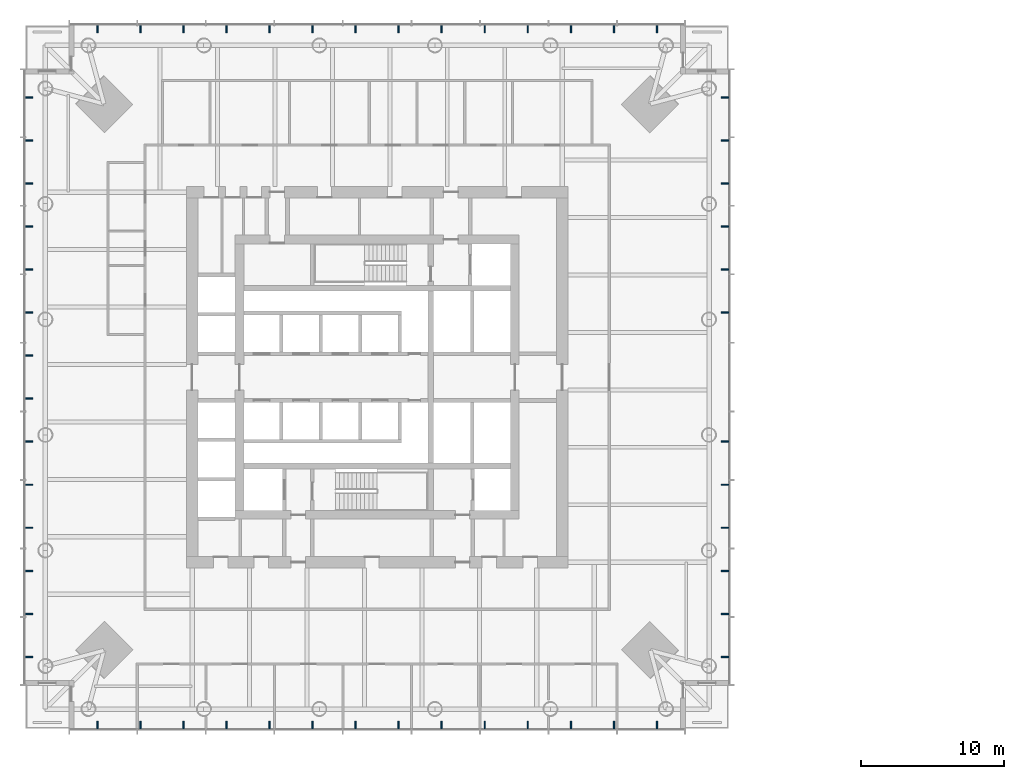
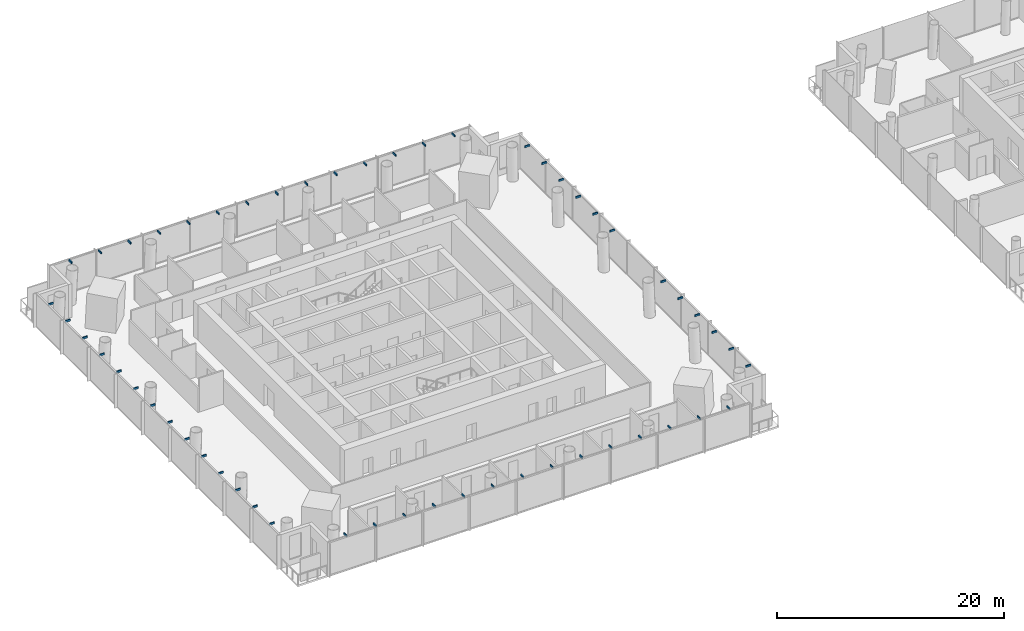
# One storey, part 19 of 21: 54 discrete accessories.
"""IFC4 building model written with IfcOpenShell, lengths in metres."""

from ifc_helpers import new_model, si_unit, direction, frame, origin, origin_2d, place, context, subcontext, project, spatial, rectangle, extrude, material, type_object, element, save


model = new_model("IFC4")

# Units and contexts
model_context = context("Model", 3, precision=1e-05, world=origin(), true_north=direction((0.0, 1.0)))
body_context = subcontext(model_context, "Body", "Model", "MODEL_VIEW")
ifc_project = project(units=[si_unit("LENGTHUNIT", "METRE"), si_unit("AREAUNIT", "SQUARE_METRE"), si_unit("VOLUMEUNIT", "CUBIC_METRE"), si_unit("PLANEANGLEUNIT", "RADIAN"), si_unit("MASSUNIT", "GRAM", prefix="KILO")], contexts=[model_context])

# Site, building, storey
site_placement = place(None, origin())
site = spatial("IfcSite", under=ifc_project, at=site_placement, CompositionType="ELEMENT")
building_placement = place(site_placement, origin())
building = spatial("IfcBuilding", under=site, at=building_placement, Name="Ostroluk Exchange", CompositionType="ELEMENT")
storey_placement = place(building_placement, frame((0.0, 0.0, 47.60009765625)))
storey = spatial("IfcBuildingStorey", under=building, at=storey_placement, Name="L11", CompositionType="ELEMENT", Elevation=47.60009765625)

# Discrete accessories
ifc_material = material(Name="Steel S355", Category="steel")
discrete_accessory_type = type_object("IfcDiscreteAccessoryType", Name="Maintenance roof bracket", PredefinedType="BRACKET", material=ifc_material)
for number, where, z_axis, x_axis, name in (
    (1, (25.5, 21.75, 3.44970703125), (0.0, 0.0, 1.0), (1.0, 0.0, 0.0), "Maintenance roof bracket L12 south 1"),
    (2, (28.5, 21.75, 3.44970703125), (0.0, 0.0, 1.0), (1.0, 0.0, 0.0), "Maintenance roof bracket L12 south 2"),
    (3, (31.5, 21.75, 3.44970703125), (0.0, 0.0, 1.0), (1.0, 0.0, 0.0), "Maintenance roof bracket L12 south 3"),
    (4, (34.5, 21.75, 3.44970703125), (0.0, 0.0, 1.0), (1.0, 0.0, 0.0), "Maintenance roof bracket L12 south 4"),
    (5, (37.5, 21.75, 3.44970703125), (0.0, 0.0, 1.0), (1.0, 0.0, 0.0), "Maintenance roof bracket L12 south 5"),
    (6, (40.5, 21.75, 3.44970703125), (0.0, 0.0, 1.0), (1.0, 0.0, 0.0), "Maintenance roof bracket L12 south 6"),
    (7, (43.5, 21.75, 3.44970703125), (0.0, 0.0, 1.0), (1.0, 0.0, 0.0), "Maintenance roof bracket L12 south 7"),
    (8, (46.5, 21.75, 3.44970703125), (0.0, 0.0, 1.0), (1.0, 0.0, 0.0), "Maintenance roof bracket L12 south 8"),
    (9, (49.5, 21.75, 3.44970703125), (0.0, 0.0, 1.0), (1.0, 0.0, 0.0), "Maintenance roof bracket L12 south 9"),
    (10, (52.5, 21.75, 3.44970703125), (0.0, 0.0, 1.0), (1.0, 0.0, 0.0), "Maintenance roof bracket L12 south 10"),
    (11, (55.5, 21.75, 3.44970703125), (0.0, 0.0, 1.0), (1.0, 0.0, 0.0), "Maintenance roof bracket L12 south 11"),
    (12, (58.5, 21.75, 3.44970703125), (0.0, 0.0, 1.0), (1.0, 0.0, 0.0), "Maintenance roof bracket L12 south 12"),
    (13, (61.5, 21.75, 3.44970703125), (0.0, 0.0, 1.0), (1.0, 0.0, 0.0), "Maintenance roof bracket L12 south 13"),
    (14, (64.5, 21.75, 3.44970703125), (0.0, 0.0, 1.0), (1.0, 0.0, 0.0), "Maintenance roof bracket L12 south 14"),
):
    element("IfcDiscreteAccessory", number, at=place(storey_placement, frame(where, z_axis=z_axis, x_axis=x_axis)), inside=storey, type_object=discrete_accessory_type, Name=name, PredefinedType="BRACKET", context=body_context, shape_type="SweptSolid", body=[
        extrude(rectangle(XDim=0.10009765625, YDim=0.5, at=origin_2d()), origin(), (0.0, 0.0, 1.0), 0.199951171875),
    ])
for number, where, z_axis, x_axis, name in (
    (15, (69.25, 26.5, 3.44970703125), (0.0, 0.0, 1.0), (1.0, 0.0, 0.0), "Maintenance roof bracket L12 east 1"),
    (16, (69.25, 29.5, 3.44970703125), (0.0, 0.0, 1.0), (1.0, 0.0, 0.0), "Maintenance roof bracket L12 east 2"),
    (17, (69.25, 32.5, 3.44970703125), (0.0, 0.0, 1.0), (1.0, 0.0, 0.0), "Maintenance roof bracket L12 east 3"),
    (18, (69.25, 35.5, 3.44970703125), (0.0, 0.0, 1.0), (1.0, 0.0, 0.0), "Maintenance roof bracket L12 east 4"),
    (19, (69.25, 38.5, 3.44970703125), (0.0, 0.0, 1.0), (1.0, 0.0, 0.0), "Maintenance roof bracket L12 east 5"),
    (20, (69.25, 41.5, 3.44970703125), (0.0, 0.0, 1.0), (1.0, 0.0, 0.0), "Maintenance roof bracket L12 east 6"),
    (21, (69.25, 50.5, 3.44970703125), (0.0, 0.0, 1.0), (1.0, 0.0, 0.0), "Maintenance roof bracket L12 east 9"),
    (22, (69.25, 53.5, 3.44970703125), (0.0, 0.0, 1.0), (1.0, 0.0, 0.0), "Maintenance roof bracket L12 east 10"),
    (23, (69.25, 56.5, 3.44970703125), (0.0, 0.0, 1.0), (1.0, 0.0, 0.0), "Maintenance roof bracket L12 east 11"),
    (24, (69.25, 59.5, 3.44970703125), (0.0, 0.0, 1.0), (1.0, 0.0, 0.0), "Maintenance roof bracket L12 east 12"),
    (25, (69.25, 62.5, 3.44970703125), (0.0, 0.0, 1.0), (1.0, 0.0, 0.0), "Maintenance roof bracket L12 east 13"),
    (26, (69.25, 65.5, 3.44970703125), (0.0, 0.0, 1.0), (1.0, 0.0, 0.0), "Maintenance roof bracket L12 east 14"),
):
    element("IfcDiscreteAccessory", number, at=place(storey_placement, frame(where, z_axis=z_axis, x_axis=x_axis)), inside=storey, type_object=discrete_accessory_type, Name=name, PredefinedType="BRACKET", context=body_context, shape_type="SweptSolid", body=[
        extrude(rectangle(XDim=0.5, YDim=0.10009765625, at=origin_2d()), origin(), (0.0, 0.0, 1.0), 0.199951171875),
    ])
for number, where, z_axis, x_axis, name in (
    (27, (25.5, 70.25, 3.44970703125), (0.0, 0.0, 1.0), (1.0, 0.0, 0.0), "Maintenance roof bracket L12 north 1"),
    (28, (28.5, 70.25, 3.44970703125), (0.0, 0.0, 1.0), (1.0, 0.0, 0.0), "Maintenance roof bracket L12 north 2"),
    (29, (31.5, 70.25, 3.44970703125), (0.0, 0.0, 1.0), (1.0, 0.0, 0.0), "Maintenance roof bracket L12 north 3"),
    (30, (34.5, 70.25, 3.44970703125), (0.0, 0.0, 1.0), (1.0, 0.0, 0.0), "Maintenance roof bracket L12 north 4"),
    (31, (37.5, 70.25, 3.44970703125), (0.0, 0.0, 1.0), (1.0, 0.0, 0.0), "Maintenance roof bracket L12 north 5"),
    (32, (40.5, 70.25, 3.44970703125), (0.0, 0.0, 1.0), (1.0, 0.0, 0.0), "Maintenance roof bracket L12 north 6"),
    (33, (43.5, 70.25, 3.44970703125), (0.0, 0.0, 1.0), (1.0, 0.0, 0.0), "Maintenance roof bracket L12 north 7"),
    (34, (46.5, 70.25, 3.44970703125), (0.0, 0.0, 1.0), (1.0, 0.0, 0.0), "Maintenance roof bracket L12 north 8"),
    (35, (49.5, 70.25, 3.44970703125), (0.0, 0.0, 1.0), (1.0, 0.0, 0.0), "Maintenance roof bracket L12 north 9"),
    (36, (52.5, 70.25, 3.44970703125), (0.0, 0.0, 1.0), (1.0, 0.0, 0.0), "Maintenance roof bracket L12 north 10"),
    (37, (55.5, 70.25, 3.44970703125), (0.0, 0.0, 1.0), (1.0, 0.0, 0.0), "Maintenance roof bracket L12 north 11"),
    (38, (58.5, 70.25, 3.44970703125), (0.0, 0.0, 1.0), (1.0, 0.0, 0.0), "Maintenance roof bracket L12 north 12"),
    (39, (61.5, 70.25, 3.44970703125), (0.0, 0.0, 1.0), (1.0, 0.0, 0.0), "Maintenance roof bracket L12 north 13"),
    (40, (64.5, 70.25, 3.44970703125), (0.0, 0.0, 1.0), (1.0, 0.0, 0.0), "Maintenance roof bracket L12 north 14"),
):
    element("IfcDiscreteAccessory", number, at=place(storey_placement, frame(where, z_axis=z_axis, x_axis=x_axis)), inside=storey, type_object=discrete_accessory_type, Name=name, PredefinedType="BRACKET", context=body_context, shape_type="SweptSolid", body=[
        extrude(rectangle(XDim=0.10009765625, YDim=0.5, at=origin_2d()), origin(), (0.0, 0.0, 1.0), 0.199951171875),
    ])
for number, where, z_axis, x_axis, name in (
    (41, (20.75, 26.5, 3.44970703125), (0.0, 0.0, 1.0), (1.0, 0.0, 0.0), "Maintenance roof bracket L12 west 1"),
    (42, (20.75, 29.5, 3.44970703125), (0.0, 0.0, 1.0), (1.0, 0.0, 0.0), "Maintenance roof bracket L12 west 2"),
    (43, (20.75, 32.5, 3.44970703125), (0.0, 0.0, 1.0), (1.0, 0.0, 0.0), "Maintenance roof bracket L12 west 3"),
    (44, (20.75, 35.5, 3.44970703125), (0.0, 0.0, 1.0), (1.0, 0.0, 0.0), "Maintenance roof bracket L12 west 4"),
    (45, (20.75, 38.5, 3.44970703125), (0.0, 0.0, 1.0), (1.0, 0.0, 0.0), "Maintenance roof bracket L12 west 5"),
    (46, (20.75, 41.5, 3.44970703125), (0.0, 0.0, 1.0), (1.0, 0.0, 0.0), "Maintenance roof bracket L12 west 6"),
    (47, (20.75, 44.5, 3.44970703125), (0.0, 0.0, 1.0), (1.0, 0.0, 0.0), "Maintenance roof bracket L12 west 7"),
    (48, (20.75, 47.5, 3.44970703125), (0.0, 0.0, 1.0), (1.0, 0.0, 0.0), "Maintenance roof bracket L12 west 8"),
    (49, (20.75, 50.5, 3.44970703125), (0.0, 0.0, 1.0), (1.0, 0.0, 0.0), "Maintenance roof bracket L12 west 9"),
    (50, (20.75, 53.5, 3.44970703125), (0.0, 0.0, 1.0), (1.0, 0.0, 0.0), "Maintenance roof bracket L12 west 10"),
    (51, (20.75, 56.5, 3.44970703125), (0.0, 0.0, 1.0), (1.0, 0.0, 0.0), "Maintenance roof bracket L12 west 11"),
    (52, (20.75, 59.5, 3.44970703125), (0.0, 0.0, 1.0), (1.0, 0.0, 0.0), "Maintenance roof bracket L12 west 12"),
    (53, (20.75, 62.5, 3.44970703125), (0.0, 0.0, 1.0), (1.0, 0.0, 0.0), "Maintenance roof bracket L12 west 13"),
    (54, (20.75, 65.5, 3.44970703125), (0.0, 0.0, 1.0), (1.0, 0.0, 0.0), "Maintenance roof bracket L12 west 14"),
):
    element("IfcDiscreteAccessory", number, at=place(storey_placement, frame(where, z_axis=z_axis, x_axis=x_axis)), inside=storey, type_object=discrete_accessory_type, Name=name, PredefinedType="BRACKET", context=body_context, shape_type="SweptSolid", body=[
        extrude(rectangle(XDim=0.5, YDim=0.10009765625, at=origin_2d()), origin(), (0.0, 0.0, 1.0), 0.199951171875),
    ])

save(model, "model.ifc")
